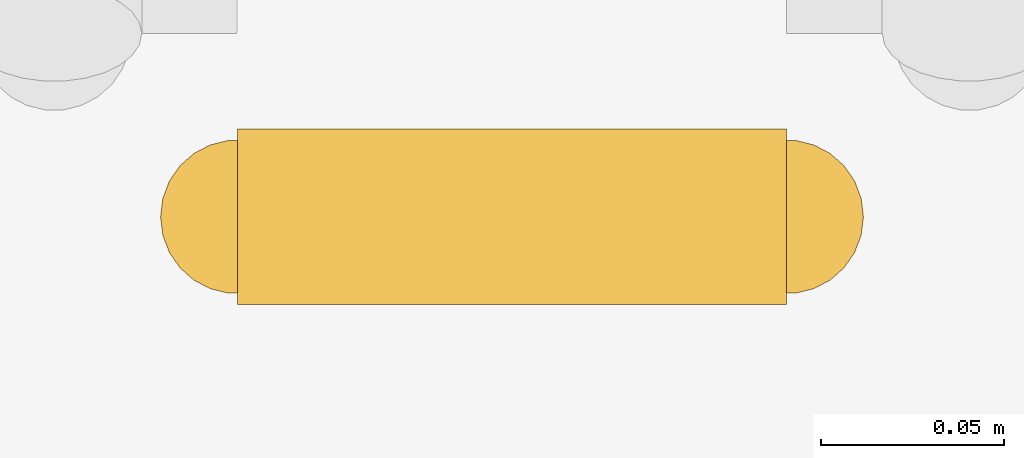
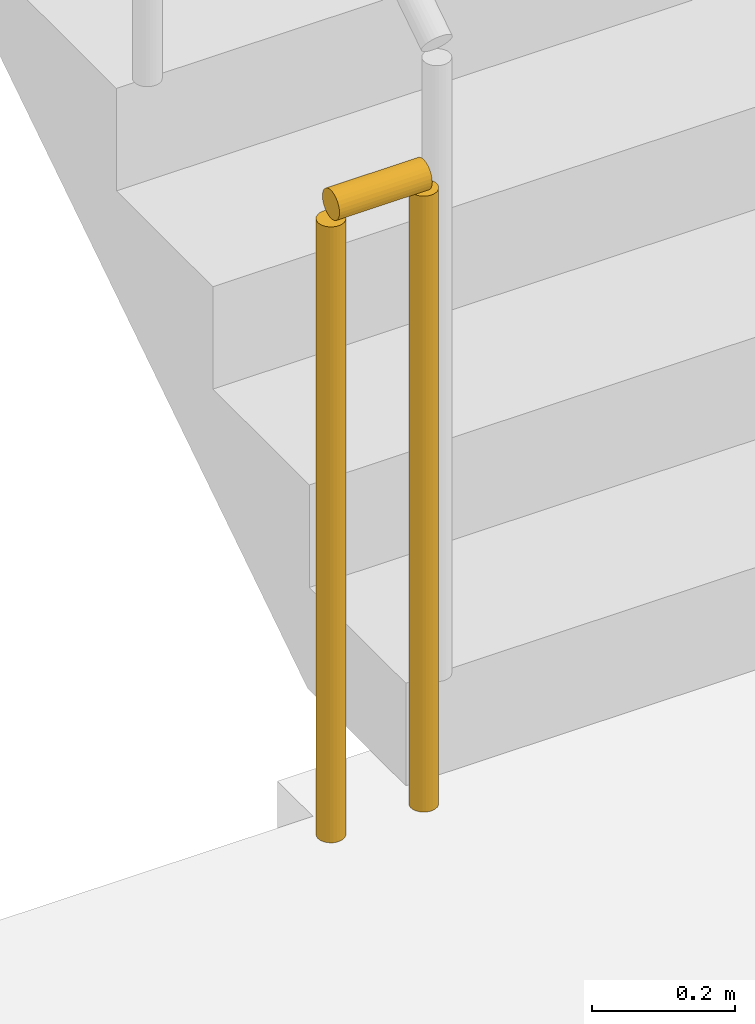
# One storey, part 15 of 20: 1 railing.
"""IFC4 building model written with IfcOpenShell, lengths in metres."""

from ifc_helpers import new_model, si_unit, direction, frame, origin, origin_2d, place, context, subcontext, project, spatial, circle, extrude, material, type_object, element, save


model = new_model("IFC4")

# Units and contexts
model_context = context("Model", 3, precision=1e-05, world=origin(), true_north=direction((0.0, 1.0)))
body_context = subcontext(model_context, "Body", "Model", "MODEL_VIEW")
ifc_project = project(units=[si_unit("LENGTHUNIT", "METRE"), si_unit("AREAUNIT", "SQUARE_METRE"), si_unit("VOLUMEUNIT", "CUBIC_METRE"), si_unit("PLANEANGLEUNIT", "RADIAN"), si_unit("MASSUNIT", "GRAM", prefix="KILO")], contexts=[model_context])

# Site, building, storey
site_placement = place(None, origin())
site = spatial("IfcSite", under=ifc_project, at=site_placement, CompositionType="ELEMENT")
building_placement = place(site_placement, origin())
building = spatial("IfcBuilding", under=site, at=building_placement, Name="Saffron Iwan Residences", CompositionType="ELEMENT")
storey_placement = place(building_placement, frame((0.0, 0.0, 174.5)))
storey = spatial("IfcBuildingStorey", under=building, at=storey_placement, Name="L46", CompositionType="ELEMENT", Elevation=174.5)

# Railing
ifc_material = material(Name="Steel S355", Category="steel")
railing_type = type_object("IfcRailingType", Name="Stair guard 1100", PredefinedType="GUARDRAIL", material=ifc_material)
railing_placement = place(storey_placement, frame((31.25, 67.800048828125, 0.0)))
element("IfcRailing", 1, at=railing_placement, inside=storey, type_object=railing_type, Name="L46 ST-W stair guard 2", PredefinedType="GUARDRAIL", context=body_context, shape_type="SweptSolid", body=[
    extrude(circle(Radius=0.02392578125, at=origin_2d()), frame((0.0, 0.0, 1.076171875), z_axis=(-1.0, 0.0, 0.0), x_axis=(0.0, -1.0, 0.0)), (0.0, 0.0, 1.0), 0.14990234375),
    extrude(circle(Radius=0.02099609375, at=origin_2d()), origin(), (0.0, 0.0, 1.0), 1.052001953125),
    extrude(circle(Radius=0.02099609375, at=origin_2d()), frame((-0.14990234375, 0.0, 0.0)), (0.0, 0.0, 1.0), 1.052001953125),
])

save(model, "model.ifc")
